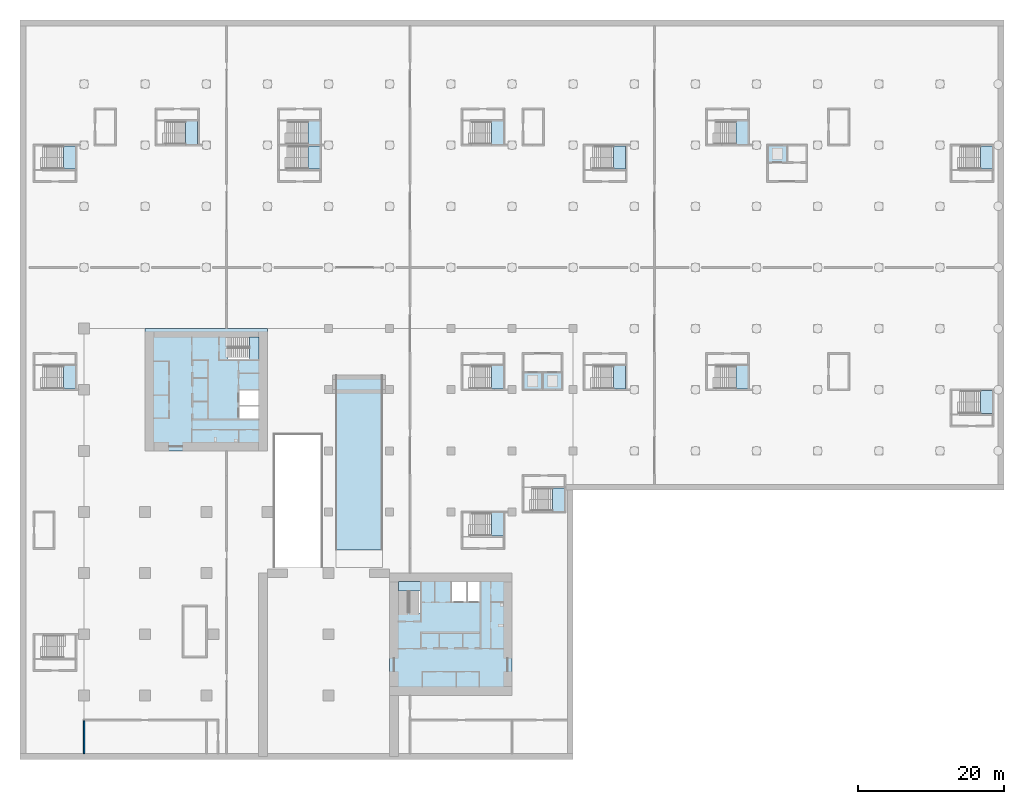
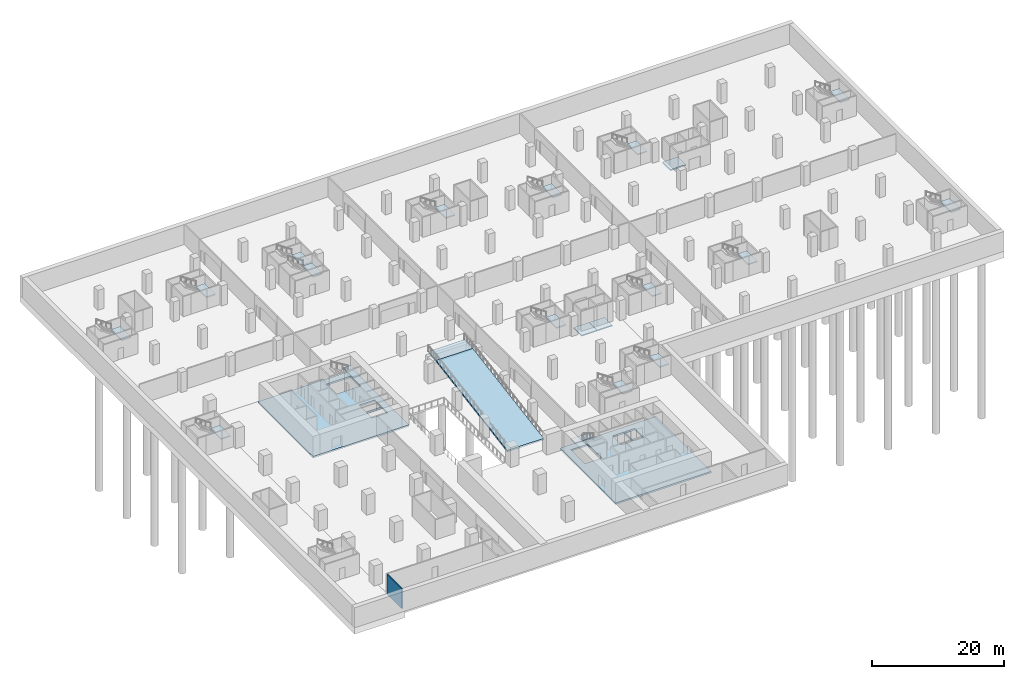
# One storey, part 2 of 19: 24 slabs, 1 wall, 17 elements without a shape of their own.
"""IFC4 building model written with IfcOpenShell, lengths in metres."""

from ifc_helpers import new_model, si_unit, direction, frame, frame_2d, origin, place, context, subcontext, project, spatial, polyline, rectangle, outline, extrude, material, layer, layer_set, type_object, element, aggregate, save


model = new_model("IFC4")

# Units and contexts
model_context = context("Model", 3, precision=1e-05, world=origin(), true_north=direction((0.0, 1.0)))
body_context = subcontext(model_context, "Body", "Model", "MODEL_VIEW")
ifc_project = project(units=[si_unit("LENGTHUNIT", "METRE"), si_unit("AREAUNIT", "SQUARE_METRE"), si_unit("VOLUMEUNIT", "CUBIC_METRE"), si_unit("PLANEANGLEUNIT", "RADIAN"), si_unit("MASSUNIT", "GRAM", prefix="KILO")], contexts=[model_context])

# Site, building, storey
site_placement = place(None, origin())
site = spatial("IfcSite", under=ifc_project, at=site_placement, CompositionType="ELEMENT")
building_placement = place(site_placement, origin())
building = spatial("IfcBuilding", under=site, at=building_placement, Name="Vermilion Gate Residences", CompositionType="ELEMENT")
storey_placement = place(building_placement, frame((0.0, 0.0, -8.0)))
storey = spatial("IfcBuildingStorey", under=building, at=storey_placement, Name="B2", CompositionType="ELEMENT", Elevation=-8.0)

# Slabs
ifc_material_1 = material(Name="Concrete C40", Category="concrete")
ifc_layer_1 = layer(ifc_material_1, 0.199951171875)
ifc_layer_set_1 = layer_set([ifc_layer_1], Name="LIFT PIT SLAB 200 (AMENITY)")
slab_type_1 = type_object("IfcSlabType", Name="LIFT PIT SLAB 200 (AMENITY)", PredefinedType="BASESLAB", material=ifc_layer_set_1)
slab_1_placement = place(storey_placement, frame((0.0, 0.0, -1.0)))
element("IfcSlab", 1, at=slab_1_placement, inside=storey, type_object=slab_type_1, Name="Lift pit floor G1.1", PredefinedType="BASESLAB", context=body_context, shape_type="SweptSolid", body=[
    extrude(outline(polyline([(60.300048828125, 50.39990234375), (63.0, 50.39990234375), (63.0, 52.800048828125), (60.300048828125, 52.800048828125), (60.300048828125, 50.39990234375)])), origin(), (0.0, 0.0, 1.0), 0.199951171875),
])
slab_2_placement = place(storey_placement, frame((0.0, 0.0, -1.0)))
element("IfcSlab", 2, at=slab_2_placement, inside=storey, type_object=slab_type_1, Name="Lift pit floor G1.2", PredefinedType="BASESLAB", context=body_context, shape_type="SweptSolid", body=[
    extrude(outline(polyline([(63.0, 50.39990234375), (65.699951171875, 50.39990234375), (65.699951171875, 52.800048828125), (63.0, 52.800048828125), (63.0, 50.39990234375)])), origin(), (0.0, 0.0, 1.0), 0.199951171875),
])
slab_3_placement = place(storey_placement, frame((0.0, 0.0, -1.0)))
element("IfcSlab", 3, at=slab_3_placement, inside=storey, type_object=slab_type_1, Name="Lift pit floor G2.1", PredefinedType="BASESLAB", context=body_context, shape_type="SweptSolid", body=[
    extrude(outline(polyline([(93.89990234375, 81.60009765625), (96.60009765625, 81.60009765625), (96.60009765625, 84.0), (93.89990234375, 84.0), (93.89990234375, 81.60009765625)])), origin(), (0.0, 0.0, 1.0), 0.199951171875),
])
ifc_material_2 = material(Name="Concrete C50", Category="concrete")
ifc_layer_2 = layer(ifc_material_2, 0.300048828125)
ifc_layer_set_2 = layer_set([ifc_layer_2], Name="RC CORE FLOOR SLAB 300 C50")
slab_type_2 = type_object("IfcSlabType", Name="RC CORE FLOOR SLAB 300 C50", PredefinedType="FLOOR", material=ifc_layer_set_2)
slab_4_placement = place(storey_placement, frame((0.0, 0.0, -0.300048828125)))
element("IfcSlab", 4, at=slab_4_placement, inside=storey, type_object=slab_type_2, Name="Core floor slab AB2", PredefinedType="FLOOR", context=body_context, shape_type="SweptSolid", body=[
    extrude(outline(polyline([(42.0, 8.39990234375), (58.800048828125, 8.39990234375), (58.800048828125, 25.199951171875), (42.0, 25.199951171875), (42.0, 8.39990234375)]), holes=[polyline([(46.199951171875, 19.75), (43.199951171875, 19.75), (43.199951171875, 24.0), (46.199951171875, 24.0), (46.199951171875, 19.75)]), polyline([(50.5, 21.300048828125), (50.5, 24.0), (52.5, 24.0), (52.5, 21.300048828125), (50.5, 21.300048828125)]), polyline([(52.699951171875, 21.300048828125), (52.699951171875, 24.0), (54.39990234375, 24.0), (54.39990234375, 21.300048828125), (52.699951171875, 21.300048828125)])]), origin(), (0.0, 0.0, 1.0), 0.300048828125),
])
slab_5_placement = place(storey_placement, frame((0.0, 0.0, -0.300048828125)))
element("IfcSlab", 5, at=slab_5_placement, inside=storey, type_object=slab_type_2, Name="Core floor slab BB2", PredefinedType="FLOOR", context=body_context, shape_type="SweptSolid", body=[
    extrude(outline(polyline([(8.39990234375, 42.0), (25.199951171875, 42.0), (25.199951171875, 58.800048828125), (8.39990234375, 58.800048828125), (8.39990234375, 42.0)]), holes=[polyline([(24.0, 46.39990234375), (21.300048828125, 46.39990234375), (21.300048828125, 48.10009765625), (24.0, 48.10009765625), (24.0, 46.39990234375)]), polyline([(21.300048828125, 48.300048828125), (21.300048828125, 50.300048828125), (24.0, 50.300048828125), (24.0, 48.300048828125), (21.300048828125, 48.300048828125)]), polyline([(19.75, 54.60009765625), (19.75, 57.60009765625), (24.0, 57.60009765625), (24.0, 54.60009765625), (19.75, 54.60009765625)])]), origin(), (0.0, 0.0, 1.0), 0.300048828125),
])

# Stair, slab
ifc_material_3 = material(Name="Concrete C30", Category="concrete")
stair_type_1 = type_object("IfcStairType", Name="ESCAPE STAIR 1200 (AMENITY)", PredefinedType="HALF_TURN_STAIR", material=ifc_material_3)
stair_1_placement = place(storey_placement, origin())
stair_1 = element("IfcStair", 6, at=stair_1_placement, inside=storey, type_object=stair_type_1, Name="Garage escape stair 2 B2 to B1", PredefinedType="HALF_TURN_STAIR")
ifc_material_4 = material(Name="Concrete C35", Category="concrete")
ifc_layer_3 = layer(ifc_material_4, 0.199951171875)
ifc_layer_set_3 = layer_set([ifc_layer_3], Name="STAIR LANDING 200 (AMENITY)")
slab_type_3 = type_object("IfcSlabType", Name="STAIR LANDING 200 (AMENITY)", PredefinedType="LANDING", material=ifc_layer_set_3)
slab_6_placement = place(storey_placement, frame((0.0, 0.0, 1.886962890625)))
slab_6 = element("IfcSlab", 7, at=slab_6_placement, type_object=slab_type_3, Name="STG2 landing 1", PredefinedType="LANDING", context=body_context, shape_type="SweptSolid", body=[
    extrude(outline(polyline([(-2.840087890625, 50.5), (-1.199951171875, 50.5), (-1.199951171875, 53.699951171875), (-2.840087890625, 53.699951171875), (-2.840087890625, 50.5)])), origin(), (0.0, 0.0, 1.0), 0.199951171875),
])
aggregate(stair_1, [slab_6])

stair_2_placement = place(storey_placement, origin())
stair_2 = element("IfcStair", 8, at=stair_2_placement, inside=storey, type_object=stair_type_1, Name="Garage escape stair 3 B2 to B1", PredefinedType="HALF_TURN_STAIR")
slab_7_placement = place(storey_placement, frame((0.0, 0.0, 1.886962890625)))
slab_7 = element("IfcSlab", 9, at=slab_7_placement, type_object=slab_type_3, Name="STG3 landing 1", PredefinedType="LANDING", context=body_context, shape_type="SweptSolid", body=[
    extrude(outline(polyline([(72.760009765625, 50.5), (74.39990234375, 50.5), (74.39990234375, 53.699951171875), (72.760009765625, 53.699951171875), (72.760009765625, 50.5)])), origin(), (0.0, 0.0, 1.0), 0.199951171875),
])
aggregate(stair_2, [slab_7])

stair_3_placement = place(storey_placement, origin())
stair_3 = element("IfcStair", 10, at=stair_3_placement, inside=storey, type_object=stair_type_1, Name="Garage escape stair 4 B2 to B1", PredefinedType="HALF_TURN_STAIR")
slab_8_placement = place(storey_placement, frame((0.0, 0.0, 1.886962890625)))
slab_8 = element("IfcSlab", 11, at=slab_8_placement, type_object=slab_type_3, Name="STG4 landing 1", PredefinedType="LANDING", context=body_context, shape_type="SweptSolid", body=[
    extrude(outline(polyline([(55.9599609375, 30.300048828125), (57.60009765625, 30.300048828125), (57.60009765625, 33.5), (55.9599609375, 33.5), (55.9599609375, 30.300048828125)])), origin(), (0.0, 0.0, 1.0), 0.199951171875),
])
aggregate(stair_3, [slab_8])

stair_4_placement = place(storey_placement, origin())
stair_4 = element("IfcStair", 12, at=stair_4_placement, inside=storey, type_object=stair_type_1, Name="Garage escape stair 5 B2 to B1", PredefinedType="HALF_TURN_STAIR")
slab_9_placement = place(storey_placement, frame((0.0, 0.0, 1.886962890625)))
slab_9 = element("IfcSlab", 13, at=slab_9_placement, type_object=slab_type_3, Name="STG5 landing 1", PredefinedType="LANDING", context=body_context, shape_type="SweptSolid", body=[
    extrude(outline(polyline([(123.159912109375, 47.10009765625), (124.800048828125, 47.10009765625), (124.800048828125, 50.300048828125), (123.159912109375, 50.300048828125), (123.159912109375, 47.10009765625)])), origin(), (0.0, 0.0, 1.0), 0.199951171875),
])
aggregate(stair_4, [slab_9])

stair_5_placement = place(storey_placement, origin())
stair_5 = element("IfcStair", 14, at=stair_5_placement, inside=storey, type_object=stair_type_1, Name="Garage escape stair 6 B2 to B1", PredefinedType="HALF_TURN_STAIR")
slab_10_placement = place(storey_placement, frame((0.0, 0.0, 1.886962890625)))
slab_10 = element("IfcSlab", 15, at=slab_10_placement, type_object=slab_type_3, Name="STG6 landing 1", PredefinedType="LANDING", context=body_context, shape_type="SweptSolid", body=[
    extrude(outline(polyline([(89.56005859375, 50.5), (91.199951171875, 50.5), (91.199951171875, 53.699951171875), (89.56005859375, 53.699951171875), (89.56005859375, 50.5)])), origin(), (0.0, 0.0, 1.0), 0.199951171875),
])
aggregate(stair_5, [slab_10])

stair_6_placement = place(storey_placement, origin())
stair_6 = element("IfcStair", 16, at=stair_6_placement, inside=storey, type_object=stair_type_1, Name="Garage escape stair 7 B2 to B1", PredefinedType="HALF_TURN_STAIR")
slab_11_placement = place(storey_placement, frame((0.0, 0.0, 1.886962890625)))
slab_11 = element("IfcSlab", 17, at=slab_11_placement, type_object=slab_type_3, Name="STG7 landing 1", PredefinedType="LANDING", context=body_context, shape_type="SweptSolid", body=[
    extrude(outline(polyline([(-2.840087890625, 80.699951171875), (-1.199951171875, 80.699951171875), (-1.199951171875, 83.89990234375), (-2.840087890625, 83.89990234375), (-2.840087890625, 80.699951171875)])), origin(), (0.0, 0.0, 1.0), 0.199951171875),
])
aggregate(stair_6, [slab_11])

stair_7_placement = place(storey_placement, origin())
stair_7 = element("IfcStair", 18, at=stair_7_placement, inside=storey, type_object=stair_type_1, Name="Garage escape stair 8 B2 to B1", PredefinedType="HALF_TURN_STAIR")
slab_12_placement = place(storey_placement, frame((0.0, 0.0, 1.886962890625)))
slab_12 = element("IfcSlab", 19, at=slab_12_placement, type_object=slab_type_3, Name="STG8 landing 1", PredefinedType="LANDING", context=body_context, shape_type="SweptSolid", body=[
    extrude(outline(polyline([(13.9599609375, 84.10009765625), (15.60009765625, 84.10009765625), (15.60009765625, 87.300048828125), (13.9599609375, 87.300048828125), (13.9599609375, 84.10009765625)])), origin(), (0.0, 0.0, 1.0), 0.199951171875),
])
aggregate(stair_7, [slab_12])

stair_8_placement = place(storey_placement, origin())
stair_8 = element("IfcStair", 20, at=stair_8_placement, inside=storey, type_object=stair_type_1, Name="Garage escape stair 9 B2 to B1", PredefinedType="HALF_TURN_STAIR")
slab_13_placement = place(storey_placement, frame((0.0, 0.0, 1.886962890625)))
slab_13 = element("IfcSlab", 21, at=slab_13_placement, type_object=slab_type_3, Name="STG9 landing 1", PredefinedType="LANDING", context=body_context, shape_type="SweptSolid", body=[
    extrude(outline(polyline([(30.760009765625, 84.10009765625), (32.39990234375, 84.10009765625), (32.39990234375, 87.300048828125), (30.760009765625, 87.300048828125), (30.760009765625, 84.10009765625)])), origin(), (0.0, 0.0, 1.0), 0.199951171875),
])
aggregate(stair_8, [slab_13])

stair_9_placement = place(storey_placement, origin())
stair_9 = element("IfcStair", 22, at=stair_9_placement, inside=storey, type_object=stair_type_1, Name="Garage escape stair 10 B2 to B1", PredefinedType="HALF_TURN_STAIR")
slab_14_placement = place(storey_placement, frame((0.0, 0.0, 1.886962890625)))
slab_14 = element("IfcSlab", 23, at=slab_14_placement, type_object=slab_type_3, Name="STG10 landing 1", PredefinedType="LANDING", context=body_context, shape_type="SweptSolid", body=[
    extrude(outline(polyline([(30.760009765625, 80.699951171875), (32.39990234375, 80.699951171875), (32.39990234375, 83.89990234375), (30.760009765625, 83.89990234375), (30.760009765625, 80.699951171875)])), origin(), (0.0, 0.0, 1.0), 0.199951171875),
])
aggregate(stair_9, [slab_14])

stair_10_placement = place(storey_placement, origin())
stair_10 = element("IfcStair", 24, at=stair_10_placement, inside=storey, type_object=stair_type_1, Name="Garage escape stair 11 B2 to B1", PredefinedType="HALF_TURN_STAIR")
slab_15_placement = place(storey_placement, frame((0.0, 0.0, 1.886962890625)))
slab_15 = element("IfcSlab", 25, at=slab_15_placement, type_object=slab_type_3, Name="STG11 landing 1", PredefinedType="LANDING", context=body_context, shape_type="SweptSolid", body=[
    extrude(outline(polyline([(72.760009765625, 80.699951171875), (74.39990234375, 80.699951171875), (74.39990234375, 83.89990234375), (72.760009765625, 83.89990234375), (72.760009765625, 80.699951171875)])), origin(), (0.0, 0.0, 1.0), 0.199951171875),
])
aggregate(stair_10, [slab_15])

stair_11_placement = place(storey_placement, origin())
stair_11 = element("IfcStair", 26, at=stair_11_placement, inside=storey, type_object=stair_type_1, Name="Garage escape stair 12 B2 to B1", PredefinedType="HALF_TURN_STAIR")
slab_16_placement = place(storey_placement, frame((0.0, 0.0, 1.886962890625)))
slab_16 = element("IfcSlab", 27, at=slab_16_placement, type_object=slab_type_3, Name="STG12 landing 1", PredefinedType="LANDING", context=body_context, shape_type="SweptSolid", body=[
    extrude(outline(polyline([(55.9599609375, 84.10009765625), (57.60009765625, 84.10009765625), (57.60009765625, 87.300048828125), (55.9599609375, 87.300048828125), (55.9599609375, 84.10009765625)])), origin(), (0.0, 0.0, 1.0), 0.199951171875),
])
aggregate(stair_11, [slab_16])

stair_12_placement = place(storey_placement, origin())
stair_12 = element("IfcStair", 28, at=stair_12_placement, inside=storey, type_object=stair_type_1, Name="Garage escape stair 13 B2 to B1", PredefinedType="HALF_TURN_STAIR")
slab_17_placement = place(storey_placement, frame((0.0, 0.0, 1.886962890625)))
slab_17 = element("IfcSlab", 29, at=slab_17_placement, type_object=slab_type_3, Name="STG13 landing 1", PredefinedType="LANDING", context=body_context, shape_type="SweptSolid", body=[
    extrude(outline(polyline([(123.159912109375, 80.699951171875), (124.800048828125, 80.699951171875), (124.800048828125, 83.89990234375), (123.159912109375, 83.89990234375), (123.159912109375, 80.699951171875)])), origin(), (0.0, 0.0, 1.0), 0.199951171875),
])
aggregate(stair_12, [slab_17])

stair_13_placement = place(storey_placement, origin())
stair_13 = element("IfcStair", 30, at=stair_13_placement, inside=storey, type_object=stair_type_1, Name="Garage escape stair 14 B2 to B1", PredefinedType="HALF_TURN_STAIR")
slab_18_placement = place(storey_placement, frame((0.0, 0.0, 1.886962890625)))
slab_18 = element("IfcSlab", 31, at=slab_18_placement, type_object=slab_type_3, Name="STG14 landing 1", PredefinedType="LANDING", context=body_context, shape_type="SweptSolid", body=[
    extrude(outline(polyline([(89.56005859375, 84.10009765625), (91.199951171875, 84.10009765625), (91.199951171875, 87.300048828125), (89.56005859375, 87.300048828125), (89.56005859375, 84.10009765625)])), origin(), (0.0, 0.0, 1.0), 0.199951171875),
])
aggregate(stair_13, [slab_18])

stair_14_placement = place(storey_placement, origin())
stair_14 = element("IfcStair", 32, at=stair_14_placement, inside=storey, type_object=stair_type_1, Name="Garage escape stair 15 B2 to B1", PredefinedType="HALF_TURN_STAIR")
slab_19_placement = place(storey_placement, frame((0.0, 0.0, 1.886962890625)))
slab_19 = element("IfcSlab", 33, at=slab_19_placement, type_object=slab_type_3, Name="STG15 landing 1", PredefinedType="LANDING", context=body_context, shape_type="SweptSolid", body=[
    extrude(outline(polyline([(55.9599609375, 50.5), (57.60009765625, 50.5), (57.60009765625, 53.699951171875), (55.9599609375, 53.699951171875), (55.9599609375, 50.5)])), origin(), (0.0, 0.0, 1.0), 0.199951171875),
])
aggregate(stair_14, [slab_19])

stair_15_placement = place(storey_placement, origin())
stair_15 = element("IfcStair", 34, at=stair_15_placement, inside=storey, type_object=stair_type_1, Name="Garage escape stair 16 B2 to B1", PredefinedType="HALF_TURN_STAIR")
slab_20_placement = place(storey_placement, frame((0.0, 0.0, 1.886962890625)))
slab_20 = element("IfcSlab", 35, at=slab_20_placement, type_object=slab_type_3, Name="STG16 landing 1", PredefinedType="LANDING", context=body_context, shape_type="SweptSolid", body=[
    extrude(outline(polyline([(64.360107421875, 33.699951171875), (66.0, 33.699951171875), (66.0, 36.89990234375), (64.360107421875, 36.89990234375), (64.360107421875, 33.699951171875)])), origin(), (0.0, 0.0, 1.0), 0.199951171875),
])
aggregate(stair_15, [slab_20])

ifc_material_5 = material(Name="Concrete C50", Category="concrete")
stair_type_2 = type_object("IfcStairType", Name="SPECIAL ESCAPE STAIR 1300", PredefinedType="HALF_TURN_STAIR", material=ifc_material_5)
stair_16_placement = place(storey_placement, origin())
stair_16 = element("IfcStair", 36, at=stair_16_placement, inside=storey, type_object=stair_type_2, Name="Special escape stair STA1-B2", PredefinedType="HALF_TURN_STAIR")
ifc_material_6 = material(Name="Concrete C50", Category="concrete")
ifc_layer_4 = layer(ifc_material_6, 0.199951171875)
ifc_layer_set_4 = layer_set([ifc_layer_4], Name="STAIR LANDING 200 C50")
slab_type_4 = type_object("IfcSlabType", Name="STAIR LANDING 200 C50", PredefinedType="LANDING", material=ifc_layer_set_4)
slab_21_placement = place(storey_placement, frame((0.0, 0.0, 1.800048828125)))
slab_21 = element("IfcSlab", 37, at=slab_21_placement, type_object=slab_type_4, Name="STA1-B2 landing 1", PredefinedType="LANDING", context=body_context, shape_type="SweptSolid", body=[
    extrude(outline(polyline([(46.219970703125, 22.719970703125), (46.219970703125, 24.02001953125), (43.179931640625, 24.02001953125), (43.179931640625, 22.719970703125), (46.219970703125, 22.719970703125)])), origin(), (0.0, 0.0, 1.0), 0.199951171875),
])
aggregate(stair_16, [slab_21])

stair_17_placement = place(storey_placement, origin())
stair_17 = element("IfcStair", 38, at=stair_17_placement, inside=storey, type_object=stair_type_2, Name="Special escape stair STB1-B2", PredefinedType="HALF_TURN_STAIR")
slab_22_placement = place(storey_placement, frame((0.0, 0.0, 1.800048828125)))
slab_22 = element("IfcSlab", 39, at=slab_22_placement, type_object=slab_type_4, Name="STB1-B2 landing 1", PredefinedType="LANDING", context=body_context, shape_type="SweptSolid", body=[
    extrude(outline(polyline([(24.02001953125, 54.580078125), (24.02001953125, 57.6201171875), (22.719970703125, 57.6201171875), (22.719970703125, 54.580078125), (24.02001953125, 54.580078125)])), origin(), (0.0, 0.0, 1.0), 0.199951171875),
])
aggregate(stair_17, [slab_22])

# Slabs
ifc_material_7 = material(Name="Concrete C40", Category="concrete")
ifc_layer_5 = layer(ifc_material_7, 0.280029296875)
ifc_layer_set_5 = layer_set([ifc_layer_5], Name="VEHICLE RAMP SLAB 280 C40 (AMENITY)")
slab_type_5 = type_object("IfcSlabType", Name="VEHICLE RAMP SLAB 280 C40 (AMENITY)", PredefinedType="USERDEFINED", material=ifc_layer_set_5)
slab_23_placement = place(storey_placement, frame((37.800048828125, 52.39990234375, 4.0), z_axis=(0.0, 0.0, 1.0), x_axis=(0.0, -1.0, 0.0)))
element("IfcSlab", 40, at=slab_23_placement, inside=storey, type_object=slab_type_5, Name="Ramp 2 entry transition", ObjectType="VEHICLE RAMP SLAB", PredefinedType="USERDEFINED", context=body_context, shape_type="SweptSolid", body=[
    extrude(outline(polyline([(0.0, 0.0), (2.39990234375, -0.199951171875), (2.39990234375, -0.48095703125), (0.0, -0.281005859375), (0.0, 0.0)])), frame((0.0, 3.199951171875, 0.0), z_axis=(0.0, -1.0, 0.0), x_axis=(1.0, 0.0, 0.0)), (0.0, 0.0, 1.0), 6.39990234375),
])
slab_24_placement = place(storey_placement, frame((37.800048828125, 50.0, 3.800048828125), z_axis=(0.0, 0.0, 1.0), x_axis=(0.0, -1.0, 0.0)))
element("IfcSlab", 41, at=slab_24_placement, inside=storey, type_object=slab_type_5, Name="Ramp 2 main run", ObjectType="VEHICLE RAMP SLAB", PredefinedType="USERDEFINED", context=body_context, shape_type="SweptSolid", body=[
    extrude(outline(polyline([(0.0, 0.0), (21.60009765625, -3.60009765625), (21.60009765625, -3.884033203125), (0.0, -0.283935546875), (0.0, 0.0)])), frame((0.0, 3.199951171875, 0.0), z_axis=(0.0, -1.0, 0.0), x_axis=(1.0, 0.0, 0.0)), (0.0, 0.0, 1.0), 6.39990234375),
])

# Wall
ifc_material_8 = material(Name="Concrete blockwork", Category="masonry")
ifc_layer_6 = layer(ifc_material_8, 0.199951171875)
ifc_layer_set_6 = layer_set([ifc_layer_6], Name="FIRE WALL 200 EI 120 (AMENITY)")
wall_type = type_object("IfcWallType", Name="FIRE WALL 200 EI 120 (AMENITY)", PredefinedType="PARTITIONING", material=ifc_layer_set_6)
wall_placement = place(storey_placement, frame((0.0, 0.39990234375, 0.0), z_axis=(0.0, 0.0, 1.0), x_axis=(0.0, 1.0, 0.0)))
element("IfcWall", 42, at=wall_placement, inside=storey, type_object=wall_type, Name="Fire-resisting wall 33", PredefinedType="PARTITIONING", context=body_context, shape_type="SweptSolid", body=[
    extrude(rectangle(XDim=4.5, YDim=0.199951171875, at=frame_2d((2.25, 0.0))), origin(), (0.0, 0.0, 1.0), 3.699951171875),
])

save(model, "model.ifc")
